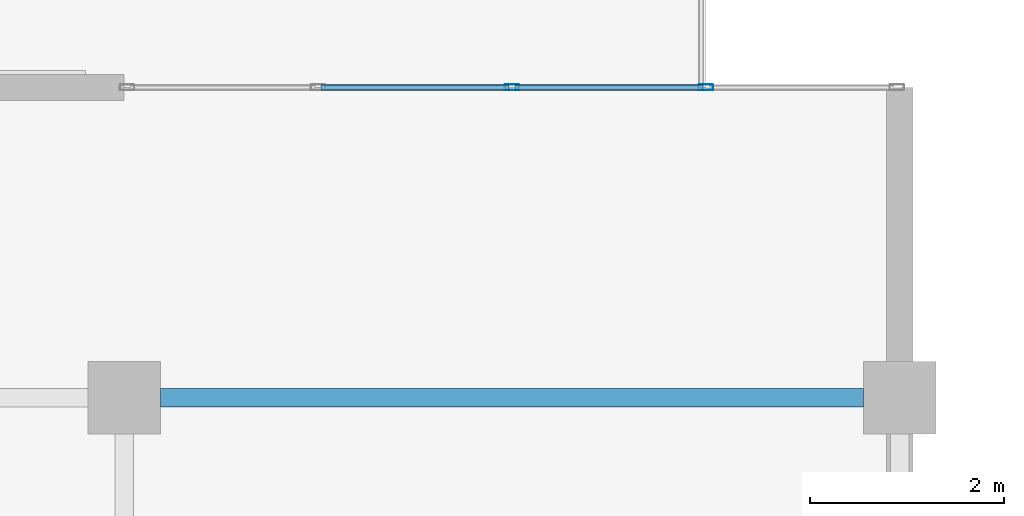
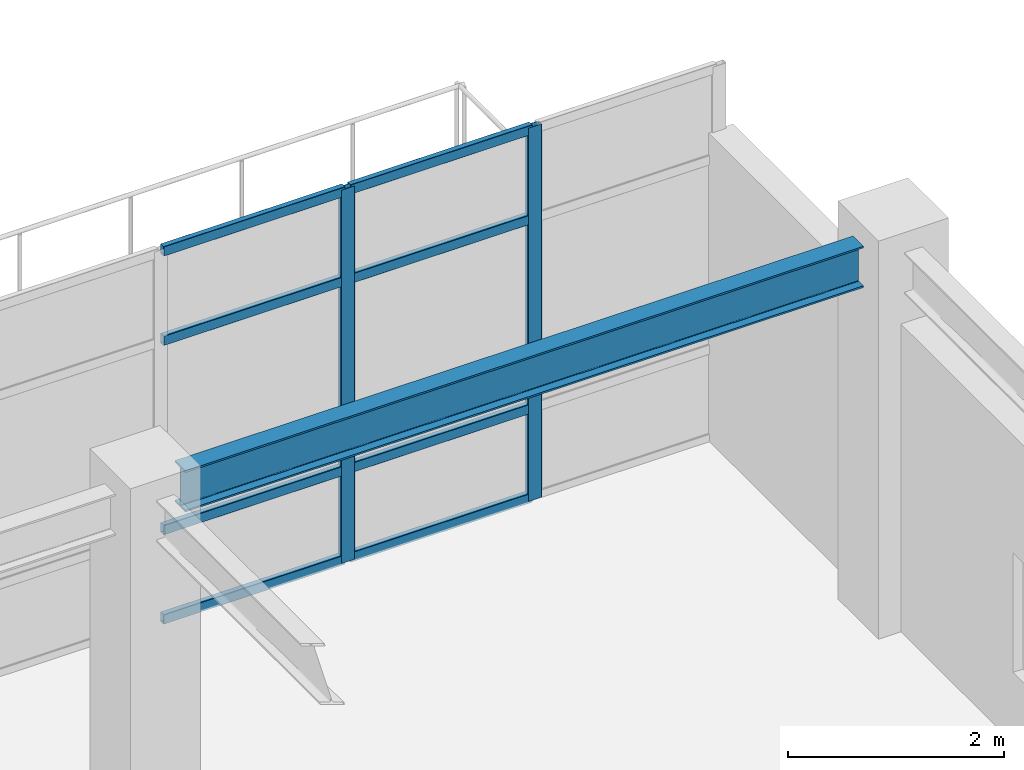
# One storey, part 18 of 42: 10 members, 1 beam, 1 element without a shape of its own.
"""IFC4 building model written with IfcOpenShell, lengths in metres."""

import ifcopenshell
import ifcopenshell.guid

model = None  # the IFC model being written
_history = None  # IfcOwnerHistory: only IFC2X3 demands one
_inside = {}  # id of a spatial element -> (the spatial element, [elements in it])
_under = {}  # id of a project, library or spatial element -> (it, [spatial elements below it])
_declared = {}  # id of a project -> (the project, [libraries it declares])
_typed = {}  # id of a type object -> (the type object, [elements of that type])
_made_of = {}  # id of a material, layer set ... -> (it, [elements and type objects made of it])


def new_model(schema):
    """Start an empty IFC model of exactly this schema.

    Asked for "IFC4X3", IfcOpenShell would pick the latest addendum, in which some entities
    have other attributes; the version numbers below select the first issue.
    IFC2X3 requires an IfcOwnerHistory on every rooted entity: one is made here for all.
    """
    global model, _history
    if schema == "IFC4X3":
        model = ifcopenshell.file(schema_version=(4, 3, 0, 0))
    else:
        model = ifcopenshell.file(schema=schema)
    _inside.clear()
    _under.clear()
    _declared.clear()
    _typed.clear()
    _made_of.clear()
    _history = None
    if model.schema == "IFC2X3":
        org = make("IfcOrganization", Name="unknown")
        user = make(
            "IfcPersonAndOrganization",
            ThePerson=make("IfcPerson", FamilyName="unknown"),
            TheOrganization=org,
        )
        app = make(
            "IfcApplication",
            ApplicationDeveloper=org,
            Version="unknown",
            ApplicationFullName="unknown",
            ApplicationIdentifier="unknown",
        )
        _history = make(
            "IfcOwnerHistory",
            OwningUser=user,
            OwningApplication=app,
            ChangeAction="ADDED",
            CreationDate=0,
        )
    return model


def make(cls, **values):
    """One entity of the class cls with the attributes given. An attribute that is None is left unset."""
    return model.create_entity(
        cls, **{name: value for name, value in values.items() if value is not None}
    )


def rooted(cls, **values):
    """An entity with a GlobalId (a new one), such as an element, a storey or a relation."""
    return make(cls, GlobalId=ifcopenshell.guid.new(), OwnerHistory=_history, **values)


def si_unit(unit_type, name, prefix=None):
    """IfcSIUnit, for example si_unit("LENGTHUNIT", "METRE", prefix="MILLI")."""
    return make("IfcSIUnit", UnitType=unit_type, Prefix=prefix, Name=name)


def assignment(units):
    """IfcUnitAssignment: the units of a project."""
    return None if units is None else make("IfcUnitAssignment", Units=units)


def point(xyz):
    """IfcCartesianPoint."""
    return None if xyz is None else make("IfcCartesianPoint", Coordinates=xyz)


def direction(xyz):
    """IfcDirection."""
    return None if xyz is None else make("IfcDirection", DirectionRatios=xyz)


def frame(location, z_axis=None, x_axis=None):
    """IfcAxis2Placement3D, a coordinate frame: its origin and axes. An axis left out is left unset."""
    return make(
        "IfcAxis2Placement3D",
        Location=point(location),
        Axis=direction(z_axis),
        RefDirection=direction(x_axis),
    )


def frame_2d(location, x_axis=None):
    """IfcAxis2Placement2D, a coordinate frame in the plane: its origin and x axis."""
    return make(
        "IfcAxis2Placement2D", Location=point(location), RefDirection=direction(x_axis)
    )


def origin():
    """The frame at (0, 0, 0) with its axes left unset."""
    return frame((0.0, 0.0, 0.0))


def origin_2d():
    """The frame at (0, 0) in the plane with its x axis left unset."""
    return frame_2d((0.0, 0.0))


def place(relative_to, where):
    """IfcLocalPlacement: puts the frame where relative to a parent placement (None: the world)."""
    return make(
        "IfcLocalPlacement", PlacementRelTo=relative_to, RelativePlacement=where
    )


def context(
    kind, dimensions, precision=None, world=None, true_north=None, identifier=None
):
    """IfcGeometricRepresentationContext, for example the 3D "Model" context."""
    return make(
        "IfcGeometricRepresentationContext",
        ContextIdentifier=identifier,
        ContextType=kind,
        CoordinateSpaceDimension=dimensions,
        Precision=precision,
        WorldCoordinateSystem=world,
        TrueNorth=true_north,
    )


def subcontext(parent, identifier, kind, view, scale=None):
    """IfcGeometricRepresentationSubContext, for example "Body" below "Model"."""
    return make(
        "IfcGeometricRepresentationSubContext",
        ContextIdentifier=identifier,
        ContextType=kind,
        ParentContext=parent,
        TargetScale=scale,
        TargetView=view,
    )


def project(units=None, contexts=None):
    """IfcProject with its units and contexts."""
    return rooted(
        "IfcProject",
        Name="project",
        RepresentationContexts=contexts,
        UnitsInContext=assignment(units),
    )


def spatial(cls, under=None, at=None, **own):
    """A site, building, storey or space (cls), placed at a placement, below another one or the project."""
    s = rooted(cls, ObjectPlacement=at, **own)
    if under is not None:
        _under.setdefault(under.id(), (under, []))[1].append(s)
    return s


def profile(cls, at=None, kind="AREA", **sizes):
    """A parametric profile (cls). Its sizes go by their IFC names, for example OverallWidth=200.0."""
    return make(cls, ProfileType=kind, Position=at, **sizes)


def hollow_rectangle(**sizes):
    """IfcRectangleHollowProfileDef."""
    return profile("IfcRectangleHollowProfileDef", **sizes)


def i_section(**sizes):
    """IfcIShapeProfileDef."""
    return profile("IfcIShapeProfileDef", **sizes)


def extrude(swept, where, along, depth):
    """IfcExtrudedAreaSolid: the profile swept, set in the frame where, extruded along a direction by depth."""
    return make(
        "IfcExtrudedAreaSolid",
        SweptArea=swept,
        Position=where,
        ExtrudedDirection=direction(along),
        Depth=depth,
    )


def shape(context_of_items, identifier, shape_type, items):
    """IfcShapeRepresentation: the items that make up one representation, for example the "Body"."""
    return make(
        "IfcShapeRepresentation",
        ContextOfItems=context_of_items,
        RepresentationIdentifier=identifier,
        RepresentationType=shape_type,
        Items=items,
    )


def material(Name=None, Category=None):
    """IfcMaterial."""
    return make("IfcMaterial", Name=Name, Category=Category)


def material_profile(
    of_material, cross_section, Name=None, Category=None, Priority=None
):
    """IfcMaterialProfile: a cross section and its material."""
    return make(
        "IfcMaterialProfile",
        Name=Name,
        Material=of_material,
        Profile=cross_section,
        Priority=Priority,
        Category=Category,
    )


def profile_set(profiles, Name=None, composite=None):
    """IfcMaterialProfileSet."""
    return make(
        "IfcMaterialProfileSet",
        Name=Name,
        MaterialProfiles=profiles,
        CompositeProfile=composite,
    )


def made_of(thing, what):
    """Note that an element or type object is made of a material, layer set ...; save() writes the relation."""
    if what is not None:
        _made_of.setdefault(what.id(), (what, []))[1].append(thing)
    return thing


def type_object(cls, material=None, **own):
    """A type object (cls), such as IfcWallType, which elements share."""
    return made_of(rooted(cls, **own), material)


def element(
    cls,
    number,
    at=None,
    inside=None,
    cuts=None,
    type_object=None,
    material=None,
    context=None,
    identifier="Body",
    shape_type=None,
    held_by="IfcProductDefinitionShape",
    body=None,
    shapes=None,
    **own,
):
    """One element of the class cls, such as IfcWall. Its Tag is "e" and its number.

    at: its placement. inside: the storey or other place that contains it. cuts: it is an
    opening in that element (IfcRelVoidsElement). A single representation is given by context,
    identifier, shape_type and body (its items); several are given by shapes. held_by: the class
    of the entity that holds the representations. save() writes the other relations.
    """
    e = rooted(cls, Tag="e%d" % number, ObjectPlacement=at, **own)
    if body is not None:
        shapes = [shape(context, identifier, shape_type, body)]
    if shapes is not None:
        e.Representation = make(held_by, Representations=shapes)
    if inside is not None:
        _inside.setdefault(inside.id(), (inside, []))[1].append(e)
    if cuts is not None:
        rooted(
            "IfcRelVoidsElement", RelatingBuildingElement=cuts, RelatedOpeningElement=e
        )
    if type_object is not None:
        _typed.setdefault(type_object.id(), (type_object, []))[1].append(e)
    return made_of(e, material)


def aggregate(whole, parts):
    """IfcRelAggregates: a whole, such as a stair, and the parts it consists of."""
    return rooted("IfcRelAggregates", RelatingObject=whole, RelatedObjects=parts)


def save(model, path):
    """Write the relations noted so far, then the file.

    IfcRelAggregates (storeys below a building ...), IfcRelContainedInSpatialStructure (elements
    in a storey), IfcRelDefinesByType, IfcRelAssociatesMaterial and IfcRelDeclares: one each for
    every whole, place, type object, material and project.
    """
    for whole, parts in _under.values():
        aggregate(whole, parts)
    for where, things in _inside.values():
        rooted(
            "IfcRelContainedInSpatialStructure",
            RelatedElements=things,
            RelatingStructure=where,
        )
    for kind, things in _typed.values():
        rooted("IfcRelDefinesByType", RelatedObjects=things, RelatingType=kind)
    for what, things in _made_of.values():
        rooted("IfcRelAssociatesMaterial", RelatedObjects=things, RelatingMaterial=what)
    for by, libraries in _declared.values():
        rooted("IfcRelDeclares", RelatingContext=by, RelatedDefinitions=libraries)
    model.write(path)


model = new_model("IFC4")

# Units and contexts
model_context = context("Model", 3, precision=1e-05, world=origin(), true_north=direction((0.0, 1.0)))
body_context = subcontext(model_context, "Body", "Model", "MODEL_VIEW")
ifc_project = project(units=[si_unit("LENGTHUNIT", "METRE"), si_unit("AREAUNIT", "SQUARE_METRE"), si_unit("VOLUMEUNIT", "CUBIC_METRE"), si_unit("PLANEANGLEUNIT", "RADIAN"), si_unit("MASSUNIT", "GRAM", prefix="KILO")], contexts=[model_context])

# Site, building, storey
site_placement = place(None, origin())
site = spatial("IfcSite", under=ifc_project, at=site_placement, CompositionType="ELEMENT")
building_placement = place(site_placement, origin())
building = spatial("IfcBuilding", under=site, at=building_placement, Name="Solmirada Galleria", CompositionType="ELEMENT")
storey_placement = place(building_placement, frame((0.0, 0.0, 28.39990234375)))
storey = spatial("IfcBuildingStorey", under=building, at=storey_placement, Name="L06", CompositionType="ELEMENT", Elevation=28.39990234375)

# Beam
ifc_material_1 = material(Name="Steel S355 / ASTM A992 Grade 50", Category="steel")
ifc_material_profile_1 = material_profile(ifc_material_1, i_section(OverallWidth=0.193115234375, OverallDepth=0.466064453125, WebThickness=0.011474609375, FlangeThickness=0.01904296875, FilletRadius=0.013916015625, at=origin_2d()), Name="W18X65")
ifc_profile_set_1 = profile_set([ifc_material_profile_1], Name="Steel S355 / ASTM A992 Grade 50")
beam_type = type_object("IfcBeamType", Name="BM-GIRD-W18C", PredefinedType="BEAM", material=ifc_profile_set_1)
beam_placement = place(storey_placement, frame((128.375, 16.0, 4.0400390625), z_axis=(1.0, 0.0, 0.0), x_axis=(0.0, 1.0, 0.0)))
element("IfcBeam", 1, at=beam_placement, inside=storey, type_object=beam_type, Name="South roof girder X=128..136", PredefinedType="BEAM", context=body_context, shape_type="SweptSolid", body=[
    extrude(i_section(OverallWidth=0.193115234375, OverallDepth=0.466064453125, WebThickness=0.011474609375, FlangeThickness=0.01904296875, FilletRadius=0.013916015625, at=origin_2d()), origin(), (0.0, 0.0, 1.0), 7.25),
])

# Curtain wall, members
ifc_material_2 = material(Name="Impact-resistant low-E double glazing", Category="glass")
curtain_wall_type = type_object("IfcCurtainWallType", Name="CW-FZ5-L06-B4-L080", PredefinedType="NOTDEFINED", material=ifc_material_2)
curtain_wall_placement = place(storey_placement, origin())
curtain_wall = element("IfcCurtainWall", 2, at=curtain_wall_placement, inside=storey, type_object=curtain_wall_type, Name="Terrace and arcade storefront CW-L06-201", PredefinedType="NOTDEFINED")
ifc_material_3 = material(Name="Anodised aluminium framing", Category="aluminium")
ifc_material_profile_2 = material_profile(ifc_material_3, hollow_rectangle(XDim=0.06005859375, YDim=0.14990234375, WallThickness=0.00341796875, InnerFilletRadius=0.00341796875, OuterFilletRadius=0.007080078125, at=origin_2d()), Name="ALU-MULL-150X60")
ifc_profile_set_2 = profile_set([ifc_material_profile_2], Name="Anodised aluminium framing")
member_type_1 = type_object("IfcMemberType", Name="CW-MULL-150", PredefinedType="MULLION", material=ifc_profile_set_2)
member_1_placement = place(storey_placement, frame((132.0, 19.199951171875, 0.0), z_axis=(0.0, 0.0, 1.0), x_axis=(0.0, 1.0, 0.0)))
member_1 = element("IfcMember", 3, at=member_1_placement, type_object=member_type_1, Name="CW39 mullion 3", PredefinedType="MULLION", context=body_context, shape_type="SweptSolid", body=[
    extrude(hollow_rectangle(XDim=0.06005859375, YDim=0.14990234375, WallThickness=0.00341796875, InnerFilletRadius=0.00341796875, OuterFilletRadius=0.007080078125, at=origin_2d()), origin(), (0.0, 0.0, 1.0), 4.22021484375),
])
member_2_placement = place(storey_placement, frame((134.0, 19.199951171875, 0.0), z_axis=(0.0, 0.0, 1.0), x_axis=(0.0, 1.0, 0.0)))
member_2 = element("IfcMember", 4, at=member_2_placement, type_object=member_type_1, Name="CW39 mullion 4", PredefinedType="MULLION", context=body_context, shape_type="SweptSolid", body=[
    extrude(hollow_rectangle(XDim=0.06005859375, YDim=0.14990234375, WallThickness=0.00341796875, InnerFilletRadius=0.00341796875, OuterFilletRadius=0.007080078125, at=origin_2d()), origin(), (0.0, 0.0, 1.0), 4.22021484375),
])
ifc_material_profile_3 = material_profile(ifc_material_3, hollow_rectangle(XDim=0.06005859375, YDim=0.110107421875, WallThickness=0.003173828125, InnerFilletRadius=0.003173828125, OuterFilletRadius=0.00634765625, at=origin_2d()), Name="ALU-TRAN-110X60")
ifc_profile_set_3 = profile_set([ifc_material_profile_3], Name="Anodised aluminium framing")
member_type_2 = type_object("IfcMemberType", Name="CW-TRAN-110", PredefinedType="USERDEFINED", material=ifc_profile_set_3)
member_3_placement = place(storey_placement, frame((130.030029296875, 19.199951171875, 0.030029296875), z_axis=(1.0, 0.0, 0.0), x_axis=(0.0, 1.0, 0.0)))
member_3 = element("IfcMember", 5, at=member_3_placement, type_object=member_type_2, Name="CW39 transom 2.1", ObjectType="TRANSOM", PredefinedType="USERDEFINED", context=body_context, shape_type="SweptSolid", body=[
    extrude(hollow_rectangle(XDim=0.06005859375, YDim=0.110107421875, WallThickness=0.003173828125, InnerFilletRadius=0.003173828125, OuterFilletRadius=0.00634765625, at=origin_2d()), origin(), (0.0, 0.0, 1.0), 1.93994140625),
])
member_4_placement = place(storey_placement, frame((130.030029296875, 19.199951171875, 1.0400390625), z_axis=(1.0, 0.0, 0.0), x_axis=(0.0, 1.0, 0.0)))
member_4 = element("IfcMember", 6, at=member_4_placement, type_object=member_type_2, Name="CW39 transom 2.2", ObjectType="TRANSOM", PredefinedType="USERDEFINED", context=body_context, shape_type="SweptSolid", body=[
    extrude(hollow_rectangle(XDim=0.06005859375, YDim=0.110107421875, WallThickness=0.003173828125, InnerFilletRadius=0.003173828125, OuterFilletRadius=0.00634765625, at=origin_2d()), origin(), (0.0, 0.0, 1.0), 1.93994140625),
])
member_5_placement = place(storey_placement, frame((130.030029296875, 19.199951171875, 3.18017578125), z_axis=(1.0, 0.0, 0.0), x_axis=(0.0, 1.0, 0.0)))
member_5 = element("IfcMember", 7, at=member_5_placement, type_object=member_type_2, Name="CW39 transom 2.3", ObjectType="TRANSOM", PredefinedType="USERDEFINED", context=body_context, shape_type="SweptSolid", body=[
    extrude(hollow_rectangle(XDim=0.06005859375, YDim=0.110107421875, WallThickness=0.003173828125, InnerFilletRadius=0.003173828125, OuterFilletRadius=0.00634765625, at=origin_2d()), origin(), (0.0, 0.0, 1.0), 1.93994140625),
])
member_6_placement = place(storey_placement, frame((130.030029296875, 19.199951171875, 4.190185546875), z_axis=(1.0, 0.0, 0.0), x_axis=(0.0, 1.0, 0.0)))
member_6 = element("IfcMember", 8, at=member_6_placement, type_object=member_type_2, Name="CW39 transom 2.4", ObjectType="TRANSOM", PredefinedType="USERDEFINED", context=body_context, shape_type="SweptSolid", body=[
    extrude(hollow_rectangle(XDim=0.06005859375, YDim=0.110107421875, WallThickness=0.003173828125, InnerFilletRadius=0.003173828125, OuterFilletRadius=0.00634765625, at=origin_2d()), origin(), (0.0, 0.0, 1.0), 1.93994140625),
])
member_7_placement = place(storey_placement, frame((132.030029296875, 19.199951171875, 0.030029296875), z_axis=(1.0, 0.0, 0.0), x_axis=(0.0, 1.0, 0.0)))
member_7 = element("IfcMember", 9, at=member_7_placement, type_object=member_type_2, Name="CW39 transom 3.1", ObjectType="TRANSOM", PredefinedType="USERDEFINED", context=body_context, shape_type="SweptSolid", body=[
    extrude(hollow_rectangle(XDim=0.06005859375, YDim=0.110107421875, WallThickness=0.003173828125, InnerFilletRadius=0.003173828125, OuterFilletRadius=0.00634765625, at=origin_2d()), origin(), (0.0, 0.0, 1.0), 1.93994140625),
])
member_8_placement = place(storey_placement, frame((132.030029296875, 19.199951171875, 1.0400390625), z_axis=(1.0, 0.0, 0.0), x_axis=(0.0, 1.0, 0.0)))
member_8 = element("IfcMember", 10, at=member_8_placement, type_object=member_type_2, Name="CW39 transom 3.2", ObjectType="TRANSOM", PredefinedType="USERDEFINED", context=body_context, shape_type="SweptSolid", body=[
    extrude(hollow_rectangle(XDim=0.06005859375, YDim=0.110107421875, WallThickness=0.003173828125, InnerFilletRadius=0.003173828125, OuterFilletRadius=0.00634765625, at=origin_2d()), origin(), (0.0, 0.0, 1.0), 1.93994140625),
])
member_9_placement = place(storey_placement, frame((132.030029296875, 19.199951171875, 3.18017578125), z_axis=(1.0, 0.0, 0.0), x_axis=(0.0, 1.0, 0.0)))
member_9 = element("IfcMember", 11, at=member_9_placement, type_object=member_type_2, Name="CW39 transom 3.3", ObjectType="TRANSOM", PredefinedType="USERDEFINED", context=body_context, shape_type="SweptSolid", body=[
    extrude(hollow_rectangle(XDim=0.06005859375, YDim=0.110107421875, WallThickness=0.003173828125, InnerFilletRadius=0.003173828125, OuterFilletRadius=0.00634765625, at=origin_2d()), origin(), (0.0, 0.0, 1.0), 1.93994140625),
])
member_10_placement = place(storey_placement, frame((132.030029296875, 19.199951171875, 4.190185546875), z_axis=(1.0, 0.0, 0.0), x_axis=(0.0, 1.0, 0.0)))
member_10 = element("IfcMember", 12, at=member_10_placement, type_object=member_type_2, Name="CW39 transom 3.4", ObjectType="TRANSOM", PredefinedType="USERDEFINED", context=body_context, shape_type="SweptSolid", body=[
    extrude(hollow_rectangle(XDim=0.06005859375, YDim=0.110107421875, WallThickness=0.003173828125, InnerFilletRadius=0.003173828125, OuterFilletRadius=0.00634765625, at=origin_2d()), origin(), (0.0, 0.0, 1.0), 1.93994140625),
])
aggregate(curtain_wall, [member_1, member_2, member_3, member_4, member_5, member_6, member_7, member_8, member_9, member_10])

save(model, "model.ifc")
